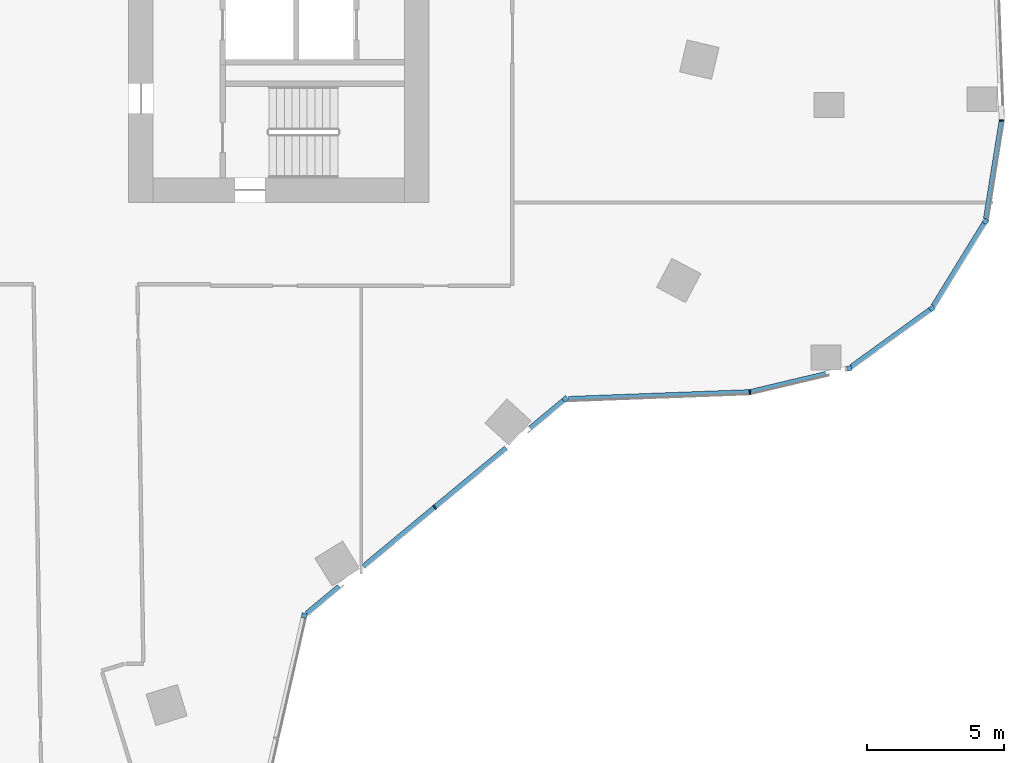
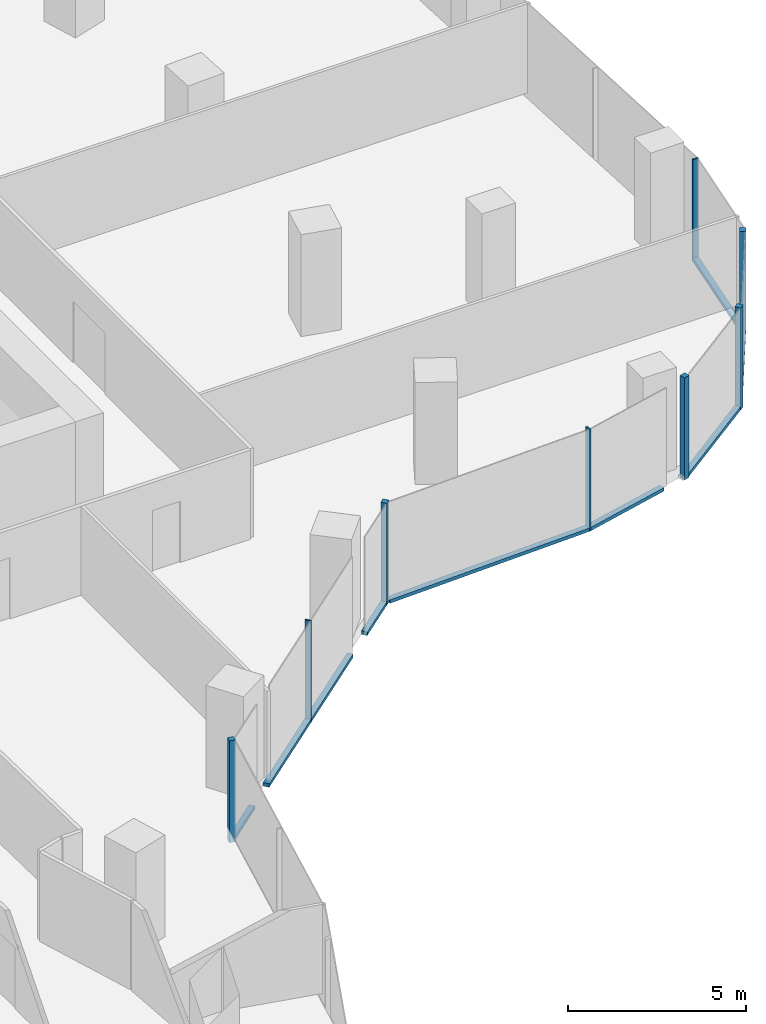
# One storey, part 8 of 24: 16 members, 7 elements without a shape of their own.
"""IFC4 building model written with IfcOpenShell, lengths in metres."""

from ifc_helpers import new_model, si_unit, direction, frame, origin, origin_2d, place, context, subcontext, project, spatial, rectangle, extrude, material, material_profile, profile_set, type_object, element, aggregate, save


model = new_model("IFC4")

# Units and contexts
model_context = context("Model", 3, precision=1e-05, world=origin(), true_north=direction((0.0, 1.0)))
body_context = subcontext(model_context, "Body", "Model", "MODEL_VIEW")
ifc_project = project(units=[si_unit("LENGTHUNIT", "METRE"), si_unit("AREAUNIT", "SQUARE_METRE"), si_unit("VOLUMEUNIT", "CUBIC_METRE"), si_unit("PLANEANGLEUNIT", "RADIAN"), si_unit("MASSUNIT", "GRAM", prefix="KILO")], contexts=[model_context])

# Site, building, storey
site_placement = place(None, origin())
site = spatial("IfcSite", under=ifc_project, at=site_placement, CompositionType="ELEMENT")
building_placement = place(site_placement, origin())
building = spatial("IfcBuilding", under=site, at=building_placement, Name="Orlundy Tower", CompositionType="ELEMENT")
storey_placement = place(building_placement, frame((0.0, 0.0, 177.60009765625)))
storey = spatial("IfcBuildingStorey", under=building, at=storey_placement, Name="L46", CompositionType="ELEMENT", Elevation=177.60009765625)

# Curtain wall, member
ifc_material_1 = material(Name="Aluminium bronze anodised", Category="aluminium")
curtain_wall_type = type_object("IfcCurtainWallType", Name="CW1 wall", PredefinedType="NOTDEFINED", material=ifc_material_1)
curtain_wall_1_placement = place(storey_placement, origin())
curtain_wall_1 = element("IfcCurtainWall", 1, at=curtain_wall_1_placement, inside=storey, type_object=curtain_wall_type, Name="CW1 run 013", PredefinedType="NOTDEFINED")
ifc_material_2 = material(Name="Aluminium bronze anodised", Category="aluminium")
ifc_material_profile_1 = material_profile(ifc_material_2, rectangle(XDim=0.179931640625, YDim=0.179931640625, at=origin_2d()), Name="CW1 corner post 180x180")
ifc_profile_set_1 = profile_set([ifc_material_profile_1], Name="Aluminium bronze anodised")
member_type_1 = type_object("IfcMemberType", Name="CW1 corner post 180x180", PredefinedType="MULLION", material=ifc_profile_set_1)
member_1_placement = place(storey_placement, frame((39.3701171875, -12.69091796875, -0.420166015625), z_axis=(0.0, 0.0, 1.0), x_axis=(0.851824977163, -0.523826505898, 0.0)))
member_1 = element("IfcMember", 2, at=member_1_placement, type_object=member_type_1, Name="CW1 mullion 37", PredefinedType="MULLION", context=body_context, shape_type="SweptSolid", body=[
    extrude(rectangle(XDim=0.179931640625, YDim=0.179931640625, at=origin_2d()), origin(), (0.0, 0.0, 1.0), 3.5),
])

curtain_wall_2_placement = place(storey_placement, origin())
curtain_wall_2 = element("IfcCurtainWall", 3, at=curtain_wall_2_placement, inside=storey, type_object=curtain_wall_type, Name="CW1 run 014", PredefinedType="NOTDEFINED")
member_2_placement = place(storey_placement, frame((37.4091796875, -15.87939453125, -0.420166015625), z_axis=(0.0, 0.0, 1.0), x_axis=(0.586534223909, -0.809924443503, 0.0)))
member_2 = element("IfcMember", 4, at=member_2_placement, type_object=member_type_1, Name="CW1 mullion 38", PredefinedType="MULLION", context=body_context, shape_type="SweptSolid", body=[
    extrude(rectangle(XDim=0.179931640625, YDim=0.179931640625, at=origin_2d()), origin(), (0.0, 0.0, 1.0), 3.5),
])

curtain_wall_3_placement = place(storey_placement, origin())
curtain_wall_3 = element("IfcCurtainWall", 5, at=curtain_wall_3_placement, inside=storey, type_object=curtain_wall_type, Name="CW1 run 015", PredefinedType="NOTDEFINED")
member_3_placement = place(storey_placement, frame((34.37841796875, -18.074462890625, -0.420166015625), z_axis=(0.0, 0.0, 1.0), x_axis=(0.232301349645, -0.972643862343, 0.0)))
member_3 = element("IfcMember", 6, at=member_3_placement, type_object=member_type_1, Name="CW1 mullion 39", PredefinedType="MULLION", context=body_context, shape_type="SweptSolid", body=[
    extrude(rectangle(XDim=0.179931640625, YDim=0.179931640625, at=origin_2d()), origin(), (0.0, 0.0, 1.0), 3.5),
])

curtain_wall_4_placement = place(storey_placement, origin())
curtain_wall_4 = element("IfcCurtainWall", 7, at=curtain_wall_4_placement, inside=storey, type_object=curtain_wall_type, Name="CW1 run 017", PredefinedType="NOTDEFINED")
member_4_placement = place(storey_placement, frame((23.989013671875, -19.19677734375, -0.420166015625), z_axis=(0.0, 0.0, 1.0), x_axis=(0.638331239674, -0.769761799816, 0.0)))
member_4 = element("IfcMember", 8, at=member_4_placement, type_object=member_type_1, Name="CW1 mullion 41", PredefinedType="MULLION", context=body_context, shape_type="SweptSolid", body=[
    extrude(rectangle(XDim=0.179931640625, YDim=0.179931640625, at=origin_2d()), origin(), (0.0, 0.0, 1.0), 3.5),
])

curtain_wall_5_placement = place(storey_placement, origin())
curtain_wall_5 = element("IfcCurtainWall", 9, at=curtain_wall_5_placement, inside=storey, type_object=curtain_wall_type, Name="CW1 run 018", PredefinedType="NOTDEFINED")
member_5_placement = place(storey_placement, frame((14.425048828125, -27.127685546875, -0.420166015625), z_axis=(0.0, 0.0, 1.0), x_axis=(0.975022425628, -0.222106437373, 0.0)))
member_5 = element("IfcMember", 10, at=member_5_placement, type_object=member_type_1, Name="CW1 mullion 43", PredefinedType="MULLION", context=body_context, shape_type="SweptSolid", body=[
    extrude(rectangle(XDim=0.179931640625, YDim=0.179931640625, at=origin_2d()), origin(), (0.0, 0.0, 1.0), 3.5),
])
aggregate(curtain_wall_5, [member_5])

curtain_wall_6_placement = place(storey_placement, origin())
curtain_wall_6 = element("IfcCurtainWall", 11, at=curtain_wall_6_placement, inside=storey, type_object=curtain_wall_type, Name="CW1 run 012", PredefinedType="NOTDEFINED")
ifc_material_3 = material(Name="Aluminium bronze anodised", Category="aluminium")
ifc_material_profile_2 = material_profile(ifc_material_3, rectangle(XDim=0.179931640625, YDim=0.050048828125, at=origin_2d()), Name="CW1 mullion 50x180")
ifc_profile_set_2 = profile_set([ifc_material_profile_2], Name="Aluminium bronze anodised")
member_type_2 = type_object("IfcMemberType", Name="CW1 mullion 50x180", PredefinedType="MULLION", material=ifc_profile_set_2)
member_6_placement = place(storey_placement, frame((39.959228515625, -9.00439453125, -0.420166015625), z_axis=(0.0, 0.0, 1.0), x_axis=(0.998180187769, -0.060301846949, 0.0)))
member_6 = element("IfcMember", 12, at=member_6_placement, type_object=member_type_2, Name="CW1 mullion 36", PredefinedType="MULLION", context=body_context, shape_type="SweptSolid", body=[
    extrude(rectangle(XDim=0.179931640625, YDim=0.050048828125, at=origin_2d()), origin(), (0.0, 0.0, 1.0), 3.5),
])

curtain_wall_7_placement = place(storey_placement, origin())
curtain_wall_7 = element("IfcCurtainWall", 13, at=curtain_wall_7_placement, inside=storey, type_object=curtain_wall_type, Name="CW1 run 016", PredefinedType="NOTDEFINED")
member_7_placement = place(storey_placement, frame((30.747314453125, -18.941650390625, -0.420166015625), z_axis=(0.0, 0.0, 1.0), x_axis=(0.135671936692, -0.990753816846, 0.0)))
member_7 = element("IfcMember", 14, at=member_7_placement, type_object=member_type_2, Name="CW1 mullion 40", PredefinedType="MULLION", context=body_context, shape_type="SweptSolid", body=[
    extrude(rectangle(XDim=0.179931640625, YDim=0.050048828125, at=origin_2d()), origin(), (0.0, 0.0, 1.0), 3.5),
])

# Member
member_8_placement = place(storey_placement, frame((19.20703125, -23.162353515625, -0.420166015625), z_axis=(0.0, 0.0, 1.0), x_axis=(0.638331239674, -0.769761799816, 0.0)))
member_8 = element("IfcMember", 15, at=member_8_placement, type_object=member_type_2, Name="CW1 mullion 42", PredefinedType="MULLION", context=body_context, shape_type="SweptSolid", body=[
    extrude(rectangle(XDim=0.179931640625, YDim=0.050048828125, at=origin_2d()), origin(), (0.0, 0.0, 1.0), 3.5),
])

ifc_material_4 = material(Name="Aluminium bronze anodised", Category="aluminium")
ifc_material_profile_3 = material_profile(ifc_material_4, rectangle(XDim=0.179931640625, YDim=0.1201171875, at=origin_2d()), Name="CW1 transom 180x120")
ifc_profile_set_3 = profile_set([ifc_material_profile_3], Name="Aluminium bronze anodised")
member_type_3 = type_object("IfcMemberType", Name="CW1 transom 180x120", PredefinedType="USERDEFINED", material=ifc_profile_set_3)
member_9_placement = place(storey_placement, frame((39.955322265625, -9.029296875, -0.360107421875), z_axis=(-0.157816447331, -0.987468464789, 0.0), x_axis=(0.987468464789, -0.157816447331, 0.0)))
member_9 = element("IfcMember", 16, at=member_9_placement, type_object=member_type_3, Name="CW1 transom", ObjectType="TRANSOM", PredefinedType="USERDEFINED", context=body_context, shape_type="SweptSolid", body=[
    extrude(rectangle(XDim=0.179931640625, YDim=0.1201171875, at=origin_2d()), origin(), (0.0, 0.0, 1.0), 3.610595703125),
])

aggregate(curtain_wall_6, [member_6, member_9])

member_10_placement = place(storey_placement, frame((39.322998046875, -12.767578125, -0.360107421875), z_axis=(-0.523875220778, -0.851795018214, 0.0), x_axis=(0.851795018214, -0.523875220778, 0.0)))
member_10 = element("IfcMember", 17, at=member_10_placement, type_object=member_type_3, Name="CW1 transom", ObjectType="TRANSOM", PredefinedType="USERDEFINED", context=body_context, shape_type="SweptSolid", body=[
    extrude(rectangle(XDim=0.179931640625, YDim=0.1201171875, at=origin_2d()), origin(), (0.0, 0.0, 1.0), 3.555908203125),
])

aggregate(curtain_wall_1, [member_1, member_10])

member_11_placement = place(storey_placement, frame((37.33642578125, -15.93212890625, -0.360107421875), z_axis=(-0.809901620851, -0.586565737614, 0.0), x_axis=(0.586565737614, -0.809901620851, 0.0)))
member_11 = element("IfcMember", 18, at=member_11_placement, type_object=member_type_3, Name="CW1 transom", ObjectType="TRANSOM", PredefinedType="USERDEFINED", context=body_context, shape_type="SweptSolid", body=[
    extrude(rectangle(XDim=0.179931640625, YDim=0.1201171875, at=origin_2d()), origin(), (0.0, 0.0, 1.0), 3.554931640625),
])

aggregate(curtain_wall_2, [member_2, member_11])

member_12_placement = place(storey_placement, frame((33.521484375, -18.279052734375, -0.360107421875), z_axis=(-0.972643824455, -0.232301508282, 0.0), x_axis=(0.232301508282, -0.972643824455, 0.0)))
member_12 = element("IfcMember", 19, at=member_12_placement, type_object=member_type_3, Name="CW1 transom", ObjectType="TRANSOM", PredefinedType="USERDEFINED", context=body_context, shape_type="SweptSolid", body=[
    extrude(rectangle(XDim=0.179931640625, YDim=0.1201171875, at=origin_2d()), origin(), (0.0, 0.0, 1.0), 2.8271484375),
])

aggregate(curtain_wall_3, [member_3, member_12])

member_13_placement = place(storey_placement, frame((30.72216796875, -18.942626953125, -0.360107421875), z_axis=(-0.999289050554, -0.037701371887, 0.0), x_axis=(0.037701371887, -0.999289050554, 0.0)))
member_13 = element("IfcMember", 20, at=member_13_placement, type_object=member_type_3, Name="CW1 transom", ObjectType="TRANSOM", PredefinedType="USERDEFINED", context=body_context, shape_type="SweptSolid", body=[
    extrude(rectangle(XDim=0.179931640625, YDim=0.1201171875, at=origin_2d()), origin(), (0.0, 0.0, 1.0), 6.62451171875),
])

aggregate(curtain_wall_7, [member_7, member_13])

member_14_placement = place(storey_placement, frame((23.919677734375, -19.254150390625, -0.360107421875), z_axis=(-0.769728291859, -0.638371644665, 0.0), x_axis=(0.638371644665, -0.769728291859, 0.0)))
member_14 = element("IfcMember", 21, at=member_14_placement, type_object=member_type_3, Name="CW1 transom", ObjectType="TRANSOM", PredefinedType="USERDEFINED", context=body_context, shape_type="SweptSolid", body=[
    extrude(rectangle(XDim=0.179931640625, YDim=0.1201171875, at=origin_2d()), origin(), (0.0, 0.0, 1.0), 1.577880859375),
])

member_15_placement = place(storey_placement, frame((21.822021484375, -20.99365234375, -0.360107421875), z_axis=(-0.769750639543, -0.638344697576, 0.0), x_axis=(0.638344697576, -0.769750639543, 0.0)))
member_15 = element("IfcMember", 22, at=member_15_placement, type_object=member_type_3, Name="CW1 transom", ObjectType="TRANSOM", PredefinedType="USERDEFINED", context=body_context, shape_type="SweptSolid", body=[
    extrude(rectangle(XDim=0.179931640625, YDim=0.1201171875, at=origin_2d()), origin(), (0.0, 0.0, 1.0), 6.79443359375),
])

member_16_placement = place(storey_placement, frame((15.708984375, -26.06298828125, -0.360107421875), z_axis=(-0.769763606156, -0.638329061408, 0.0), x_axis=(0.638329061408, -0.769763606156, 0.0)))
member_16 = element("IfcMember", 23, at=member_16_placement, type_object=member_type_3, Name="CW1 transom", ObjectType="TRANSOM", PredefinedType="USERDEFINED", context=body_context, shape_type="SweptSolid", body=[
    extrude(rectangle(XDim=0.179931640625, YDim=0.1201171875, at=origin_2d()), origin(), (0.0, 0.0, 1.0), 1.5546875),
])

aggregate(curtain_wall_4, [member_4, member_8, member_14, member_15, member_16])

save(model, "model.ifc")
